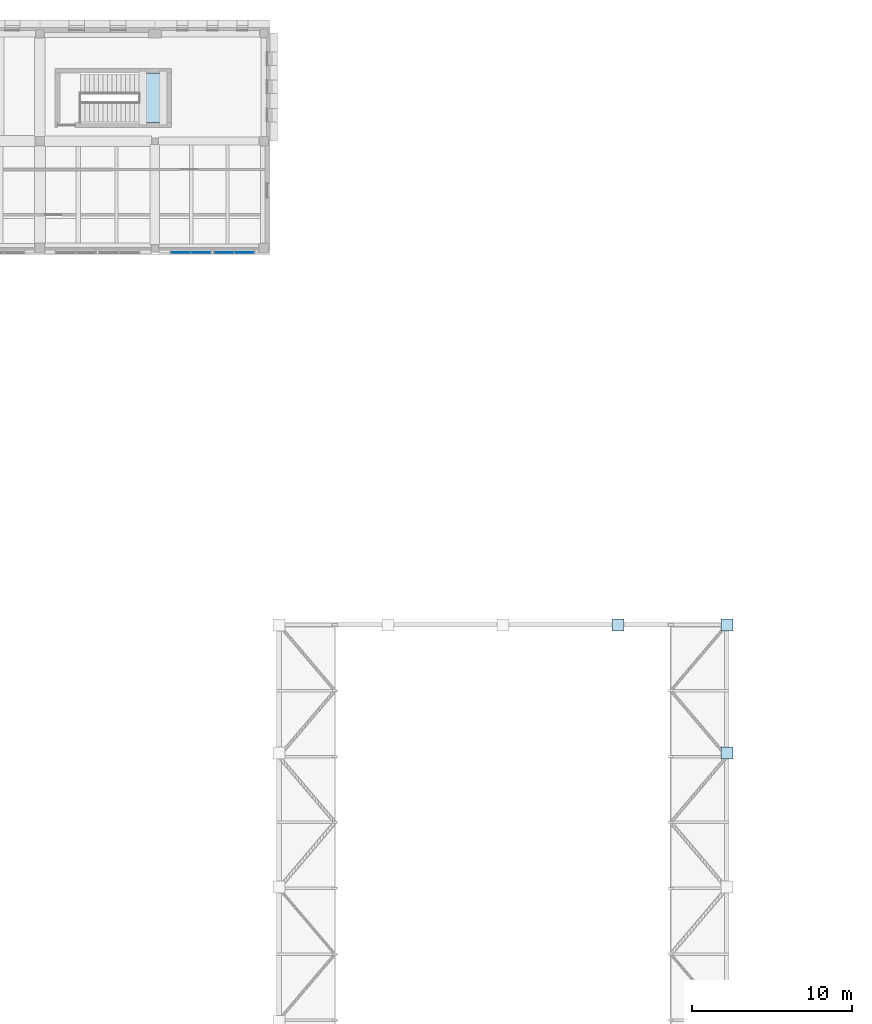
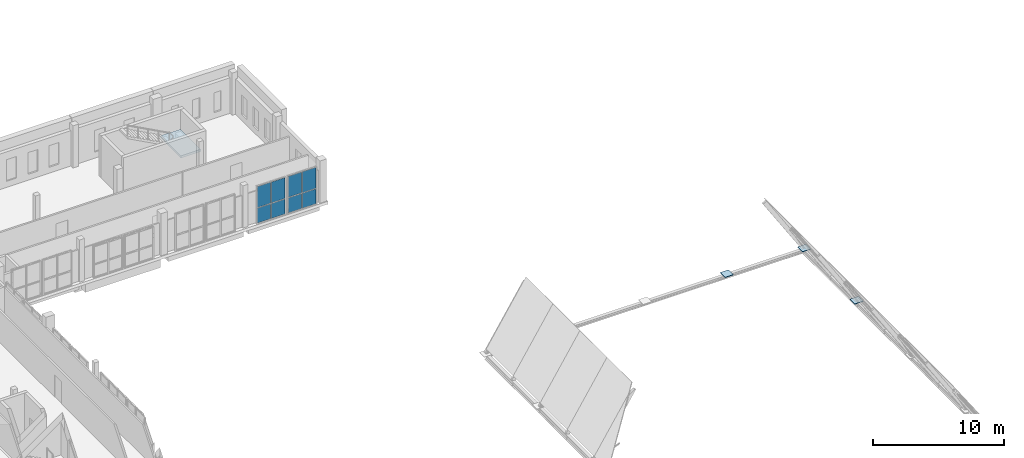
# One storey, part 32 of 56: 11 plates, 1 slab, 3 elements without a shape of their own.
"""IFC4 building model written with IfcOpenShell, lengths in metres."""

from ifc_helpers import new_model, si_unit, direction, frame, origin, origin_2d, place, context, subcontext, project, spatial, polyline, rectangle, outline, extrude, material, layer, layer_set, type_object, element, aggregate, save


model = new_model("IFC4")

# Units and contexts
model_context = context("Model", 3, precision=1e-05, world=origin(), true_north=direction((0.0, 1.0)))
body_context = subcontext(model_context, "Body", "Model", "MODEL_VIEW")
ifc_project = project(units=[si_unit("LENGTHUNIT", "METRE"), si_unit("AREAUNIT", "SQUARE_METRE"), si_unit("VOLUMEUNIT", "CUBIC_METRE"), si_unit("PLANEANGLEUNIT", "RADIAN"), si_unit("MASSUNIT", "GRAM", prefix="KILO")], contexts=[model_context])

# Site, building, storey
site_placement = place(None, origin())
site = spatial("IfcSite", under=ifc_project, at=site_placement, CompositionType="ELEMENT")
building_placement = place(site_placement, origin())
building = spatial("IfcBuilding", under=site, at=building_placement, Name="Vardoun Plaza Health Centre", CompositionType="ELEMENT")
storey_placement = place(building_placement, frame((0.0, 0.0, 8.699951171875)))
storey = spatial("IfcBuildingStorey", under=building, at=storey_placement, Name="L02", CompositionType="ELEMENT", Elevation=8.699951171875)

# Curtain wall, plates
ifc_material_1 = material(Name="Aluminium Alloy EN AW-6063-T6 and Low-E Glass", Category="aluminium")
ifc_layer_1 = layer(ifc_material_1, 0.159912109375)
ifc_layer_set_1 = layer_set([ifc_layer_1], Name="Aluminium Alloy EN AW-6063-T6 and Low-E Glass")
curtain_wall_type = type_object("IfcCurtainWallType", Name="CW-02", PredefinedType="USERDEFINED", material=ifc_layer_set_1)
curtain_wall_1_placement = place(storey_placement, origin())
curtain_wall_1 = element("IfcCurtainWall", 1, at=curtain_wall_1_placement, inside=storey, type_object=curtain_wall_type, Name="Curtain Wall CW-V3-073", ObjectType="COURTYARD_CURTAIN_WALL", PredefinedType="USERDEFINED")
ifc_material_2 = material(Name="Solar-Control Double Low-E Glazing", Category="glass")
ifc_layer_2 = layer(ifc_material_2, 0.028076171875)
ifc_layer_set_2 = layer_set([ifc_layer_2], Name="Solar-Control Double Low-E Glazing")
plate_type_1 = type_object("IfcPlateType", Name="CW-P1", PredefinedType="CURTAIN_PANEL", material=ifc_layer_set_2)
plate_1_placement = place(storey_placement, frame((46.0849609375, 101.219970703125, 0.06005859375), z_axis=(0.0, 0.0, 1.0), x_axis=(-1.0, 0.0, 0.0)))
plate_1 = element("IfcPlate", 2, at=plate_1_placement, type_object=plate_type_1, Name="CW-V3-073 panel 1.1", PredefinedType="CURTAIN_PANEL", context=body_context, shape_type="SweptSolid", body=[
    extrude(rectangle(XDim=1.18994140625, YDim=0.028076171875, at=origin_2d()), origin(), (0.0, 0.0, 1.0), 1.388427734375),
])
plate_2_placement = place(storey_placement, frame((46.0849609375, 101.219970703125, 1.50830078125), z_axis=(0.0, 0.0, 1.0), x_axis=(-1.0, 0.0, 0.0)))
plate_2 = element("IfcPlate", 3, at=plate_2_placement, type_object=plate_type_1, Name="CW-V3-073 panel 1.2", PredefinedType="CURTAIN_PANEL", context=body_context, shape_type="SweptSolid", body=[
    extrude(rectangle(XDim=1.18994140625, YDim=0.028076171875, at=origin_2d()), origin(), (0.0, 0.0, 1.0), 1.95166015625),
])
plate_3_placement = place(storey_placement, frame((44.8349609375, 101.219970703125, 0.06005859375), z_axis=(0.0, 0.0, 1.0), x_axis=(-1.0, 0.0, 0.0)))
plate_3 = element("IfcPlate", 4, at=plate_3_placement, type_object=plate_type_1, Name="CW-V3-073 panel 2.1", PredefinedType="CURTAIN_PANEL", context=body_context, shape_type="SweptSolid", body=[
    extrude(rectangle(XDim=1.18994140625, YDim=0.028076171875, at=origin_2d()), origin(), (0.0, 0.0, 1.0), 1.388427734375),
])
plate_4_placement = place(storey_placement, frame((44.8349609375, 101.219970703125, 1.50830078125), z_axis=(0.0, 0.0, 1.0), x_axis=(-1.0, 0.0, 0.0)))
plate_4 = element("IfcPlate", 5, at=plate_4_placement, type_object=plate_type_1, Name="CW-V3-073 panel 2.2", PredefinedType="CURTAIN_PANEL", context=body_context, shape_type="SweptSolid", body=[
    extrude(rectangle(XDim=1.18994140625, YDim=0.028076171875, at=origin_2d()), origin(), (0.0, 0.0, 1.0), 1.95166015625),
])
aggregate(curtain_wall_1, [plate_1, plate_2, plate_3, plate_4])

curtain_wall_2_placement = place(storey_placement, origin())
curtain_wall_2 = element("IfcCurtainWall", 6, at=curtain_wall_2_placement, inside=storey, type_object=curtain_wall_type, Name="Curtain Wall CW-V3-074", ObjectType="COURTYARD_CURTAIN_WALL", PredefinedType="USERDEFINED")
plate_5_placement = place(storey_placement, frame((43.364990234375, 101.219970703125, 0.06005859375), z_axis=(0.0, 0.0, 1.0), x_axis=(-1.0, 0.0, 0.0)))
plate_5 = element("IfcPlate", 7, at=plate_5_placement, type_object=plate_type_1, Name="CW-V3-074 panel 1.1", PredefinedType="CURTAIN_PANEL", context=body_context, shape_type="SweptSolid", body=[
    extrude(rectangle(XDim=1.18994140625, YDim=0.028076171875, at=origin_2d()), origin(), (0.0, 0.0, 1.0), 1.388427734375),
])
plate_6_placement = place(storey_placement, frame((43.364990234375, 101.219970703125, 1.50830078125), z_axis=(0.0, 0.0, 1.0), x_axis=(-1.0, 0.0, 0.0)))
plate_6 = element("IfcPlate", 8, at=plate_6_placement, type_object=plate_type_1, Name="CW-V3-074 panel 1.2", PredefinedType="CURTAIN_PANEL", context=body_context, shape_type="SweptSolid", body=[
    extrude(rectangle(XDim=1.18994140625, YDim=0.028076171875, at=origin_2d()), origin(), (0.0, 0.0, 1.0), 1.95166015625),
])
plate_7_placement = place(storey_placement, frame((42.114990234375, 101.219970703125, 0.06005859375), z_axis=(0.0, 0.0, 1.0), x_axis=(-1.0, 0.0, 0.0)))
plate_7 = element("IfcPlate", 9, at=plate_7_placement, type_object=plate_type_1, Name="CW-V3-074 panel 2.1", PredefinedType="CURTAIN_PANEL", context=body_context, shape_type="SweptSolid", body=[
    extrude(rectangle(XDim=1.18994140625, YDim=0.028076171875, at=origin_2d()), origin(), (0.0, 0.0, 1.0), 1.388427734375),
])
plate_8_placement = place(storey_placement, frame((42.114990234375, 101.219970703125, 1.50830078125), z_axis=(0.0, 0.0, 1.0), x_axis=(-1.0, 0.0, 0.0)))
plate_8 = element("IfcPlate", 10, at=plate_8_placement, type_object=plate_type_1, Name="CW-V3-074 panel 2.2", PredefinedType="CURTAIN_PANEL", context=body_context, shape_type="SweptSolid", body=[
    extrude(rectangle(XDim=1.18994140625, YDim=0.028076171875, at=origin_2d()), origin(), (0.0, 0.0, 1.0), 1.95166015625),
])
aggregate(curtain_wall_2, [plate_5, plate_6, plate_7, plate_8])

# Stair, slab
ifc_material_3 = material(Name="Concrete C35/45", Category="concrete")
stair_type = type_object("IfcStairType", Name="ST-01", PredefinedType="HALF_TURN_STAIR", material=ifc_material_3)
stair_placement = place(storey_placement, origin())
stair = element("IfcStair", 11, at=stair_placement, inside=storey, type_object=stair_type, Name="Core C4 L02 Exit Stair ST-C4-L02", PredefinedType="HALF_TURN_STAIR")
ifc_material_4 = material(Name="Concrete C35/45", Category="concrete")
ifc_layer_3 = layer(ifc_material_4, 0.199951171875)
ifc_layer_set_3 = layer_set([ifc_layer_3], Name="Concrete C35/45")
slab_type = type_object("IfcSlabType", Name="SL-LD", PredefinedType="LANDING", material=ifc_layer_set_3)
slab_placement = place(storey_placement, frame((0.0, 0.0, 1.900146484375)))
slab = element("IfcSlab", 12, at=slab_placement, type_object=slab_type, Name="ST-C4-L02 landing 1", PredefinedType="LANDING", context=body_context, shape_type="SweptSolid", body=[
    extrude(outline(polyline([(39.489501953125, 109.35009765625), (41.25, 109.35009765625), (41.25, 112.449951171875), (39.489501953125, 112.449951171875), (39.489501953125, 109.35009765625)])), origin(), (0.0, 0.0, 1.0), 0.199951171875),
])
aggregate(stair, [slab])

# Plates
ifc_material_5 = material(Name="Steel S355J2", Category="steel")
ifc_layer_4 = layer(ifc_material_5, 0.044921875)
ifc_layer_set_4 = layer_set([ifc_layer_4], Name="Steel S355J2")
plate_type_2 = type_object("IfcPlateType", Name="BP-02", PredefinedType="SHEET", material=ifc_layer_set_4)
for number, where, z_axis, x_axis, name in (
    (13, (69.47998046875, 77.919921875, -0.344970703125), (0.0, 0.0, 1.0), (1.0, 0.0, 0.0), "Gridshell Ring Base Plate 12"),
    (14, (76.300048828125, 69.89990234375, -0.344970703125), (0.0, 0.0, 1.0), (1.0, 0.0, 0.0), "Gridshell Ring Base Plate 17"),
    (15, (76.300048828125, 77.919921875, -0.344970703125), (0.0, 0.0, 1.0), (1.0, 0.0, 0.0), "Gridshell Ring Base Plate 18"),
):
    element("IfcPlate", number, at=place(storey_placement, frame(where, z_axis=z_axis, x_axis=x_axis)), inside=storey, type_object=plate_type_2, Name=name, PredefinedType="SHEET", context=body_context, shape_type="SweptSolid", body=[
        extrude(rectangle(XDim=0.75, YDim=0.75, at=origin_2d()), origin(), (0.0, 0.0, 1.0), 0.044921875),
    ])

save(model, "model.ifc")
